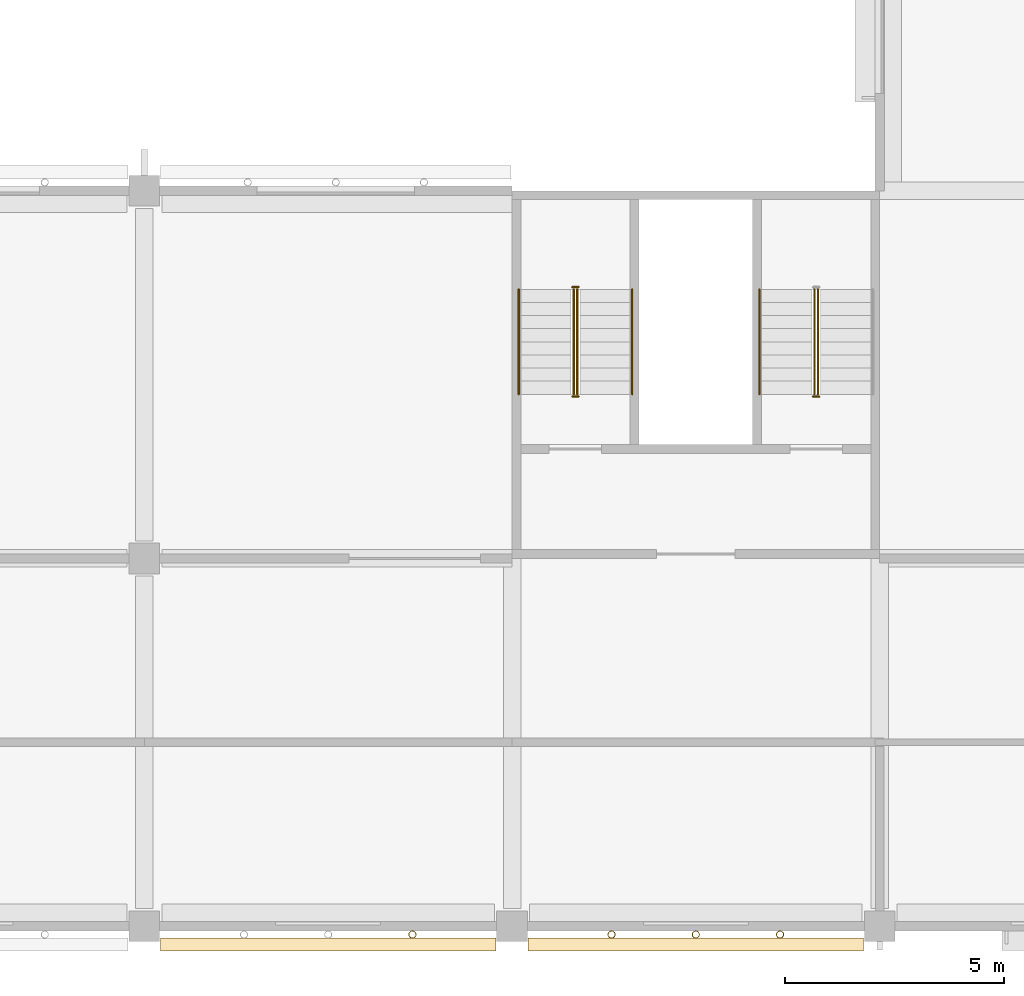
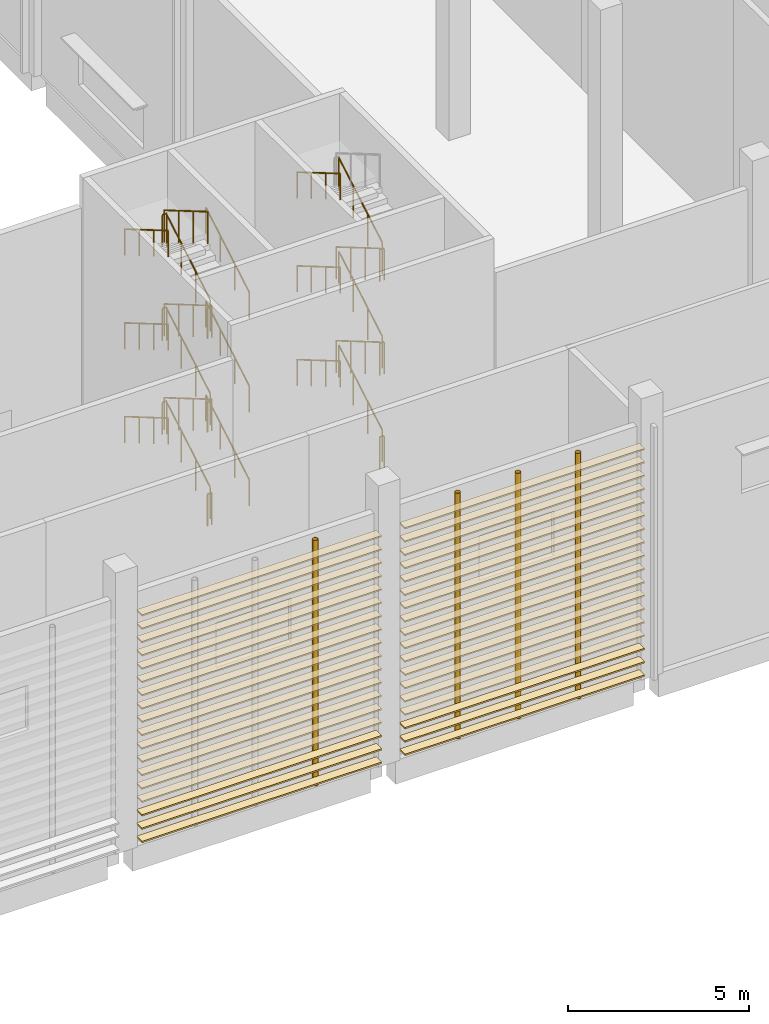
# One storey, part 88 of 114: 36 coverings, 29 railings, 4 shading devices.
"""IFC4 building model written with IfcOpenShell, lengths in metres."""

from ifc_helpers import new_model, si_unit, direction, frame, origin, origin_2d, place, context, subcontext, project, spatial, rectangle, circle, hollow_circle, extrude, material, material_profile, profile_set, type_object, element, save


model = new_model("IFC4")

# Units and contexts
model_context = context("Model", 3, precision=1e-05, world=origin(), true_north=direction((0.0, 1.0)))
body_context = subcontext(model_context, "Body", "Model", "MODEL_VIEW")
ifc_project = project(units=[si_unit("LENGTHUNIT", "METRE"), si_unit("AREAUNIT", "SQUARE_METRE"), si_unit("VOLUMEUNIT", "CUBIC_METRE"), si_unit("PLANEANGLEUNIT", "RADIAN"), si_unit("MASSUNIT", "GRAM", prefix="KILO")], contexts=[model_context])

# Site, building, storey
site_placement = place(None, origin())
site = spatial("IfcSite", under=ifc_project, at=site_placement, CompositionType="ELEMENT")
building_placement = place(site_placement, origin())
building = spatial("IfcBuilding", under=site, at=building_placement, Name="Almond Square Museum", CompositionType="ELEMENT")
storey_placement = place(building_placement, frame((0.0, 0.0, 10.5)))
storey = spatial("IfcBuildingStorey", under=building, at=storey_placement, Name="L02", CompositionType="ELEMENT", Elevation=10.5)

# Shading devices
ifc_material_1 = material(Name="Structural steel S355", Category="steel")
ifc_material_profile_1 = material_profile(ifc_material_1, hollow_circle(Radius=0.084228515625, WallThickness=0.008056640625, at=origin_2d()))
ifc_profile_set_1 = profile_set([ifc_material_profile_1], Name="Structural steel S355")
shading_device_type = type_object("IfcShadingDeviceType", Name="Louvre post CHS 168.3 x 8", PredefinedType="USERDEFINED", material=ifc_profile_set_1)
for number, where, z_axis, x_axis, name in (
    (1, (121.324951171875, -0.194091796875, 0.0), (0.0, 0.0, 1.0), (1.0, 0.0, 0.0), "Louvre screen post"),
    (2, (125.875, -0.194091796875, 0.0), (0.0, 0.0, 1.0), (1.0, 0.0, 0.0), "Louvre screen post"),
    (3, (127.800048828125, -0.194091796875, 0.0), (0.0, 0.0, 1.0), (1.0, 0.0, 0.0), "Louvre screen post"),
    (4, (129.72509765625, -0.194091796875, 0.0), (0.0, 0.0, 1.0), (1.0, 0.0, 0.0), "Louvre screen post"),
):
    element("IfcShadingDevice", number, at=place(storey_placement, frame(where, z_axis=z_axis, x_axis=x_axis)), inside=storey, type_object=shading_device_type, Name=name, ObjectType="POST", PredefinedType="USERDEFINED", context=body_context, shape_type="SweptSolid", body=[
        extrude(hollow_circle(Radius=0.084228515625, WallThickness=0.008056640625, at=origin_2d()), origin(), (0.0, 0.0, 1.0), 8.300048828125),
    ])

# Coverings
ifc_material_2 = material(Name="Cedar timber louvre board", Category="wood")
ifc_material_profile_2 = material_profile(ifc_material_2, rectangle(XDim=0.300048828125, YDim=0.050048828125, at=origin_2d()))
ifc_profile_set_2 = profile_set([ifc_material_profile_2], Name="Cedar timber louvre board")
covering_type = type_object("IfcCoveringType", Name="Louvre screen board 300 x 50", PredefinedType="CLADDING", material=ifc_profile_set_2)
for number, where, z_axis, x_axis, name in (
    (5, (115.570068359375, -0.42431640625, 0.300048828125), (1.0, 0.0, 0.0), (0.0, 1.0, 0.0), "Louvre screen board"),
    (6, (115.570068359375, -0.42431640625, 0.75), (1.0, 0.0, 0.0), (0.0, 1.0, 0.0), "Louvre screen board"),
    (7, (115.570068359375, -0.42431640625, 1.199951171875), (1.0, 0.0, 0.0), (0.0, 1.0, 0.0), "Louvre screen board"),
    (8, (115.570068359375, -0.42431640625, 1.64990234375), (1.0, 0.0, 0.0), (0.0, 1.0, 0.0), "Louvre screen board"),
    (9, (115.570068359375, -0.42431640625, 2.10009765625), (1.0, 0.0, 0.0), (0.0, 1.0, 0.0), "Louvre screen board"),
    (10, (115.570068359375, -0.42431640625, 2.550048828125), (1.0, 0.0, 0.0), (0.0, 1.0, 0.0), "Louvre screen board"),
    (11, (115.570068359375, -0.42431640625, 3.0), (1.0, 0.0, 0.0), (0.0, 1.0, 0.0), "Louvre screen board"),
    (12, (115.570068359375, -0.42431640625, 3.449951171875), (1.0, 0.0, 0.0), (0.0, 1.0, 0.0), "Louvre screen board"),
    (13, (115.570068359375, -0.42431640625, 3.89990234375), (1.0, 0.0, 0.0), (0.0, 1.0, 0.0), "Louvre screen board"),
    (14, (115.570068359375, -0.42431640625, 4.35009765625), (1.0, 0.0, 0.0), (0.0, 1.0, 0.0), "Louvre screen board"),
    (15, (115.570068359375, -0.42431640625, 4.800048828125), (1.0, 0.0, 0.0), (0.0, 1.0, 0.0), "Louvre screen board"),
    (16, (115.570068359375, -0.42431640625, 5.25), (1.0, 0.0, 0.0), (0.0, 1.0, 0.0), "Louvre screen board"),
    (17, (115.570068359375, -0.42431640625, 5.699951171875), (1.0, 0.0, 0.0), (0.0, 1.0, 0.0), "Louvre screen board"),
    (18, (115.570068359375, -0.42431640625, 6.14990234375), (1.0, 0.0, 0.0), (0.0, 1.0, 0.0), "Louvre screen board"),
    (19, (115.570068359375, -0.42431640625, 6.60009765625), (1.0, 0.0, 0.0), (0.0, 1.0, 0.0), "Louvre screen board"),
    (20, (115.570068359375, -0.42431640625, 7.050048828125), (1.0, 0.0, 0.0), (0.0, 1.0, 0.0), "Louvre screen board"),
    (21, (115.570068359375, -0.42431640625, 7.5), (1.0, 0.0, 0.0), (0.0, 1.0, 0.0), "Louvre screen board"),
    (22, (115.570068359375, -0.42431640625, 7.949951171875), (1.0, 0.0, 0.0), (0.0, 1.0, 0.0), "Louvre screen board"),
    (23, (123.969970703125, -0.42431640625, 0.300048828125), (1.0, 0.0, 0.0), (0.0, 1.0, 0.0), "Louvre screen board"),
    (24, (123.969970703125, -0.42431640625, 0.75), (1.0, 0.0, 0.0), (0.0, 1.0, 0.0), "Louvre screen board"),
    (25, (123.969970703125, -0.42431640625, 1.199951171875), (1.0, 0.0, 0.0), (0.0, 1.0, 0.0), "Louvre screen board"),
    (26, (123.969970703125, -0.42431640625, 1.64990234375), (1.0, 0.0, 0.0), (0.0, 1.0, 0.0), "Louvre screen board"),
    (27, (123.969970703125, -0.42431640625, 2.10009765625), (1.0, 0.0, 0.0), (0.0, 1.0, 0.0), "Louvre screen board"),
    (28, (123.969970703125, -0.42431640625, 2.550048828125), (1.0, 0.0, 0.0), (0.0, 1.0, 0.0), "Louvre screen board"),
    (29, (123.969970703125, -0.42431640625, 3.0), (1.0, 0.0, 0.0), (0.0, 1.0, 0.0), "Louvre screen board"),
    (30, (123.969970703125, -0.42431640625, 3.449951171875), (1.0, 0.0, 0.0), (0.0, 1.0, 0.0), "Louvre screen board"),
    (31, (123.969970703125, -0.42431640625, 3.89990234375), (1.0, 0.0, 0.0), (0.0, 1.0, 0.0), "Louvre screen board"),
    (32, (123.969970703125, -0.42431640625, 4.35009765625), (1.0, 0.0, 0.0), (0.0, 1.0, 0.0), "Louvre screen board"),
    (33, (123.969970703125, -0.42431640625, 4.800048828125), (1.0, 0.0, 0.0), (0.0, 1.0, 0.0), "Louvre screen board"),
    (34, (123.969970703125, -0.42431640625, 5.25), (1.0, 0.0, 0.0), (0.0, 1.0, 0.0), "Louvre screen board"),
    (35, (123.969970703125, -0.42431640625, 5.699951171875), (1.0, 0.0, 0.0), (0.0, 1.0, 0.0), "Louvre screen board"),
    (36, (123.969970703125, -0.42431640625, 6.14990234375), (1.0, 0.0, 0.0), (0.0, 1.0, 0.0), "Louvre screen board"),
    (37, (123.969970703125, -0.42431640625, 6.60009765625), (1.0, 0.0, 0.0), (0.0, 1.0, 0.0), "Louvre screen board"),
    (38, (123.969970703125, -0.42431640625, 7.050048828125), (1.0, 0.0, 0.0), (0.0, 1.0, 0.0), "Louvre screen board"),
    (39, (123.969970703125, -0.42431640625, 7.5), (1.0, 0.0, 0.0), (0.0, 1.0, 0.0), "Louvre screen board"),
    (40, (123.969970703125, -0.42431640625, 7.949951171875), (1.0, 0.0, 0.0), (0.0, 1.0, 0.0), "Louvre screen board"),
):
    element("IfcCovering", number, at=place(storey_placement, frame(where, z_axis=z_axis, x_axis=x_axis)), inside=storey, type_object=covering_type, Name=name, PredefinedType="CLADDING", context=body_context, shape_type="SweptSolid", body=[
        extrude(rectangle(XDim=0.300048828125, YDim=0.050048828125, at=origin_2d()), origin(), (0.0, 0.0, 1.0), 7.659912109375),
    ])

# Railings
ifc_material_3 = material(Name="Stainless steel and laminated glass", Category="steel")
railing_type_1 = type_object("IfcRailingType", Name="Stair guard 1100 steel and glass", PredefinedType="GUARDRAIL", material=ifc_material_3)
railing_1_placement = place(storey_placement, frame((125.090087890625, 12.14990234375, 0.176025390625)))
element("IfcRailing", 41, at=railing_1_placement, inside=storey, type_object=railing_type_1, Name="L02 ST-31 stair guard 1", PredefinedType="GUARDRAIL", context=body_context, shape_type="SweptSolid", body=[
    extrude(circle(Radius=0.02392578125, at=origin_2d()), frame((0.0, 0.0, 1.076171875), z_axis=(0.0, 0.862659684245, 0.505784805207), x_axis=(-1.0, 0.0, 0.0)), (0.0, 0.0, 1.0), 2.7822265625),
    extrude(circle(Radius=0.02099609375, at=origin_2d()), origin(), (0.0, 0.0, 1.0), 1.052001953125),
    extrude(circle(Radius=0.02099609375, at=origin_2d()), frame((0.0, 0.800048828125, 0.468994140625)), (0.0, 0.0, 1.0), 1.052001953125),
    extrude(circle(Radius=0.02099609375, at=origin_2d()), frame((0.0, 1.60009765625, 0.938232421875)), (0.0, 0.0, 1.0), 1.052001953125),
    extrude(circle(Radius=0.02099609375, at=origin_2d()), frame((0.0, 2.400146484375, 1.4072265625)), (0.0, 0.0, 1.0), 1.052001953125),
])
railing_2_placement = place(storey_placement, frame((125.1201171875, 14.60009765625, 1.583251953125)))
element("IfcRailing", 42, at=railing_2_placement, inside=storey, type_object=railing_type_1, Name="L02 ST-31 stair guard 2", PredefinedType="GUARDRAIL", context=body_context, shape_type="SweptSolid", body=[
    extrude(circle(Radius=0.02392578125, at=origin_2d()), frame((0.0, 0.0, 1.076171875), z_axis=(-1.0, 0.0, 0.0), x_axis=(0.0, -1.0, 0.0)), (0.0, 0.0, 1.0), 0.14013671875),
    extrude(circle(Radius=0.02099609375, at=origin_2d()), origin(), (0.0, 0.0, 1.0), 1.052001953125),
    extrude(circle(Radius=0.02099609375, at=origin_2d()), frame((-0.14013671875, 0.0, 0.0)), (0.0, 0.0, 1.0), 1.052001953125),
])
railing_3_placement = place(storey_placement, frame((125.010009765625, 14.550048828125, 1.75927734375)))
element("IfcRailing", 43, at=railing_3_placement, inside=storey, type_object=railing_type_1, Name="L02 ST-31 stair guard 3", PredefinedType="GUARDRAIL", context=body_context, shape_type="SweptSolid", body=[
    extrude(circle(Radius=0.02392578125, at=origin_2d()), frame((0.0, 0.0, 1.076171875), z_axis=(0.0, -0.862621396848, 0.505850102007), x_axis=(1.0, 0.0, 0.0)), (0.0, 0.0, 1.0), 2.782470703125),
    extrude(circle(Radius=0.02099609375, at=origin_2d()), origin(), (0.0, 0.0, 1.0), 1.052001953125),
    extrude(circle(Radius=0.02099609375, at=origin_2d()), frame((0.0, -0.800048828125, 0.46923828125)), (0.0, 0.0, 1.0), 1.052001953125),
    extrude(circle(Radius=0.02099609375, at=origin_2d()), frame((0.0, -1.60009765625, 0.938232421875)), (0.0, 0.0, 1.0), 1.052001953125),
    extrude(circle(Radius=0.02099609375, at=origin_2d()), frame((0.0, -2.400146484375, 1.407470703125)), (0.0, 0.0, 1.0), 1.052001953125),
])
railing_4_placement = place(storey_placement, frame((125.1201171875, 12.10009765625, 3.166748046875)))
element("IfcRailing", 44, at=railing_4_placement, inside=storey, type_object=railing_type_1, Name="L02 ST-31 stair guard 4", PredefinedType="GUARDRAIL", context=body_context, shape_type="SweptSolid", body=[
    extrude(circle(Radius=0.02392578125, at=origin_2d()), frame((0.0, 0.0, 1.076171875), z_axis=(-1.0, 0.0, 0.0), x_axis=(0.0, -1.0, 0.0)), (0.0, 0.0, 1.0), 0.14013671875),
    extrude(circle(Radius=0.02099609375, at=origin_2d()), origin(), (0.0, 0.0, 1.0), 1.052001953125),
    extrude(circle(Radius=0.02099609375, at=origin_2d()), frame((-0.14013671875, 0.0, 0.0)), (0.0, 0.0, 1.0), 1.052001953125),
])
railing_5_placement = place(storey_placement, frame((125.090087890625, 12.14990234375, 3.342529296875)))
element("IfcRailing", 45, at=railing_5_placement, inside=storey, type_object=railing_type_1, Name="L02 ST-31 stair guard 5", PredefinedType="GUARDRAIL", context=body_context, shape_type="SweptSolid", body=[
    extrude(circle(Radius=0.02392578125, at=origin_2d()), frame((0.0, 0.0, 1.076171875), z_axis=(0.0, 0.862621396848, 0.505850102007), x_axis=(-1.0, 0.0, 0.0)), (0.0, 0.0, 1.0), 2.782470703125),
    extrude(circle(Radius=0.02099609375, at=origin_2d()), origin(), (0.0, 0.0, 1.0), 1.052001953125),
    extrude(circle(Radius=0.02099609375, at=origin_2d()), frame((0.0, 0.800048828125, 0.46923828125)), (0.0, 0.0, 1.0), 1.052001953125),
    extrude(circle(Radius=0.02099609375, at=origin_2d()), frame((0.0, 1.60009765625, 0.938232421875)), (0.0, 0.0, 1.0), 1.052001953125),
    extrude(circle(Radius=0.02099609375, at=origin_2d()), frame((0.0, 2.400146484375, 1.407470703125)), (0.0, 0.0, 1.0), 1.052001953125),
])
railing_6_placement = place(storey_placement, frame((125.1201171875, 14.60009765625, 4.75)))
element("IfcRailing", 46, at=railing_6_placement, inside=storey, type_object=railing_type_1, Name="L02 ST-31 stair guard 6", PredefinedType="GUARDRAIL", context=body_context, shape_type="SweptSolid", body=[
    extrude(circle(Radius=0.02392578125, at=origin_2d()), frame((0.0, 0.0, 1.076171875), z_axis=(-1.0, 0.0, 0.0), x_axis=(0.0, -1.0, 0.0)), (0.0, 0.0, 1.0), 0.14013671875),
    extrude(circle(Radius=0.02099609375, at=origin_2d()), origin(), (0.0, 0.0, 1.0), 1.052001953125),
    extrude(circle(Radius=0.02099609375, at=origin_2d()), frame((-0.14013671875, 0.0, 0.0)), (0.0, 0.0, 1.0), 1.052001953125),
])
railing_7_placement = place(storey_placement, frame((125.010009765625, 14.550048828125, 4.926025390625)))
element("IfcRailing", 47, at=railing_7_placement, inside=storey, type_object=railing_type_1, Name="L02 ST-31 stair guard 7", PredefinedType="GUARDRAIL", context=body_context, shape_type="SweptSolid", body=[
    extrude(circle(Radius=0.02392578125, at=origin_2d()), frame((0.0, 0.0, 1.076171875), z_axis=(0.0, -0.862659684245, 0.505784805207), x_axis=(1.0, 0.0, 0.0)), (0.0, 0.0, 1.0), 2.7822265625),
    extrude(circle(Radius=0.02099609375, at=origin_2d()), origin(), (0.0, 0.0, 1.0), 1.052001953125),
    extrude(circle(Radius=0.02099609375, at=origin_2d()), frame((0.0, -0.800048828125, 0.468994140625)), (0.0, 0.0, 1.0), 1.052001953125),
    extrude(circle(Radius=0.02099609375, at=origin_2d()), frame((0.0, -1.60009765625, 0.938232421875)), (0.0, 0.0, 1.0), 1.052001953125),
    extrude(circle(Radius=0.02099609375, at=origin_2d()), frame((0.0, -2.400146484375, 1.4072265625)), (0.0, 0.0, 1.0), 1.052001953125),
])
railing_8_placement = place(storey_placement, frame((125.1201171875, 12.10009765625, 6.333251953125)))
element("IfcRailing", 48, at=railing_8_placement, inside=storey, type_object=railing_type_1, Name="L02 ST-31 stair guard 8", PredefinedType="GUARDRAIL", context=body_context, shape_type="SweptSolid", body=[
    extrude(circle(Radius=0.02392578125, at=origin_2d()), frame((0.0, 0.0, 1.076171875), z_axis=(-1.0, 0.0, 0.0), x_axis=(0.0, -1.0, 0.0)), (0.0, 0.0, 1.0), 0.14013671875),
    extrude(circle(Radius=0.02099609375, at=origin_2d()), origin(), (0.0, 0.0, 1.0), 1.052001953125),
    extrude(circle(Radius=0.02099609375, at=origin_2d()), frame((-0.14013671875, 0.0, 0.0)), (0.0, 0.0, 1.0), 1.052001953125),
])
railing_9_placement = place(storey_placement, frame((125.090087890625, 12.14990234375, 6.50927734375)))
element("IfcRailing", 49, at=railing_9_placement, inside=storey, type_object=railing_type_1, Name="L02 ST-31 stair guard 9", PredefinedType="GUARDRAIL", context=body_context, shape_type="SweptSolid", body=[
    extrude(circle(Radius=0.02392578125, at=origin_2d()), frame((0.0, 0.0, 1.076171875), z_axis=(0.0, 0.862621396848, 0.505850102007), x_axis=(-1.0, 0.0, 0.0)), (0.0, 0.0, 1.0), 2.782470703125),
    extrude(circle(Radius=0.02099609375, at=origin_2d()), origin(), (0.0, 0.0, 1.0), 1.052001953125),
    extrude(circle(Radius=0.02099609375, at=origin_2d()), frame((0.0, 0.800048828125, 0.46923828125)), (0.0, 0.0, 1.0), 1.052001953125),
    extrude(circle(Radius=0.02099609375, at=origin_2d()), frame((0.0, 1.60009765625, 0.938232421875)), (0.0, 0.0, 1.0), 1.052001953125),
    extrude(circle(Radius=0.02099609375, at=origin_2d()), frame((0.0, 2.400146484375, 1.407470703125)), (0.0, 0.0, 1.0), 1.052001953125),
])
railing_10_placement = place(storey_placement, frame((125.1201171875, 14.60009765625, 7.916748046875)))
element("IfcRailing", 50, at=railing_10_placement, inside=storey, type_object=railing_type_1, Name="L02 ST-31 stair guard 10", PredefinedType="GUARDRAIL", context=body_context, shape_type="SweptSolid", body=[
    extrude(circle(Radius=0.02392578125, at=origin_2d()), frame((0.0, 0.0, 1.076171875), z_axis=(-1.0, 0.0, 0.0), x_axis=(0.0, -1.0, 0.0)), (0.0, 0.0, 1.0), 0.14013671875),
    extrude(circle(Radius=0.02099609375, at=origin_2d()), origin(), (0.0, 0.0, 1.0), 1.052001953125),
    extrude(circle(Radius=0.02099609375, at=origin_2d()), frame((-0.14013671875, 0.0, 0.0)), (0.0, 0.0, 1.0), 1.052001953125),
])
railing_11_placement = place(storey_placement, frame((125.010009765625, 14.550048828125, 8.092529296875)))
element("IfcRailing", 51, at=railing_11_placement, inside=storey, type_object=railing_type_1, Name="L02 ST-31 stair guard 11", PredefinedType="GUARDRAIL", context=body_context, shape_type="SweptSolid", body=[
    extrude(circle(Radius=0.02392578125, at=origin_2d()), frame((0.0, 0.0, 1.076171875), z_axis=(0.0, -0.862621396848, 0.505850102007), x_axis=(1.0, 0.0, 0.0)), (0.0, 0.0, 1.0), 2.782470703125),
    extrude(circle(Radius=0.02099609375, at=origin_2d()), origin(), (0.0, 0.0, 1.0), 1.052001953125),
    extrude(circle(Radius=0.02099609375, at=origin_2d()), frame((0.0, -0.800048828125, 0.46923828125)), (0.0, 0.0, 1.0), 1.052001953125),
    extrude(circle(Radius=0.02099609375, at=origin_2d()), frame((0.0, -1.60009765625, 0.938232421875)), (0.0, 0.0, 1.0), 1.052001953125),
    extrude(circle(Radius=0.02099609375, at=origin_2d()), frame((0.0, -2.400146484375, 1.407470703125)), (0.0, 0.0, 1.0), 1.052001953125),
])
railing_12_placement = place(storey_placement, frame((125.1201171875, 12.10009765625, 0.0)))
element("IfcRailing", 52, at=railing_12_placement, inside=storey, type_object=railing_type_1, Name="L02 ST-31 stair guard 12", PredefinedType="GUARDRAIL", context=body_context, shape_type="SweptSolid", body=[
    extrude(circle(Radius=0.02392578125, at=origin_2d()), frame((0.0, 0.0, 1.076171875), z_axis=(-1.0, 0.0, 0.0), x_axis=(0.0, -1.0, 0.0)), (0.0, 0.0, 1.0), 0.14013671875),
    extrude(circle(Radius=0.02099609375, at=origin_2d()), origin(), (0.0, 0.0, 1.0), 1.052001953125),
    extrude(circle(Radius=0.02099609375, at=origin_2d()), frame((-0.14013671875, 0.0, 0.0)), (0.0, 0.0, 1.0), 1.052001953125),
])
railing_13_placement = place(storey_placement, frame((130.590087890625, 12.14990234375, 0.176025390625)))
element("IfcRailing", 53, at=railing_13_placement, inside=storey, type_object=railing_type_1, Name="L02 ST-32 stair guard 1", PredefinedType="GUARDRAIL", context=body_context, shape_type="SweptSolid", body=[
    extrude(circle(Radius=0.02392578125, at=origin_2d()), frame((0.0, 0.0, 1.076171875), z_axis=(0.0, 0.862659684245, 0.505784805207), x_axis=(-1.0, 0.0, 0.0)), (0.0, 0.0, 1.0), 2.7822265625),
    extrude(circle(Radius=0.02099609375, at=origin_2d()), origin(), (0.0, 0.0, 1.0), 1.052001953125),
    extrude(circle(Radius=0.02099609375, at=origin_2d()), frame((0.0, 0.800048828125, 0.468994140625)), (0.0, 0.0, 1.0), 1.052001953125),
    extrude(circle(Radius=0.02099609375, at=origin_2d()), frame((0.0, 1.60009765625, 0.938232421875)), (0.0, 0.0, 1.0), 1.052001953125),
    extrude(circle(Radius=0.02099609375, at=origin_2d()), frame((0.0, 2.400146484375, 1.4072265625)), (0.0, 0.0, 1.0), 1.052001953125),
])
railing_14_placement = place(storey_placement, frame((130.510009765625, 14.550048828125, 1.75927734375)))
element("IfcRailing", 54, at=railing_14_placement, inside=storey, type_object=railing_type_1, Name="L02 ST-32 stair guard 3", PredefinedType="GUARDRAIL", context=body_context, shape_type="SweptSolid", body=[
    extrude(circle(Radius=0.02392578125, at=origin_2d()), frame((0.0, 0.0, 1.076171875), z_axis=(0.0, -0.862621396848, 0.505850102007), x_axis=(1.0, 0.0, 0.0)), (0.0, 0.0, 1.0), 2.782470703125),
    extrude(circle(Radius=0.02099609375, at=origin_2d()), origin(), (0.0, 0.0, 1.0), 1.052001953125),
    extrude(circle(Radius=0.02099609375, at=origin_2d()), frame((0.0, -0.800048828125, 0.46923828125)), (0.0, 0.0, 1.0), 1.052001953125),
    extrude(circle(Radius=0.02099609375, at=origin_2d()), frame((0.0, -1.60009765625, 0.938232421875)), (0.0, 0.0, 1.0), 1.052001953125),
    extrude(circle(Radius=0.02099609375, at=origin_2d()), frame((0.0, -2.400146484375, 1.407470703125)), (0.0, 0.0, 1.0), 1.052001953125),
])
railing_15_placement = place(storey_placement, frame((130.6201171875, 12.10009765625, 3.166748046875)))
element("IfcRailing", 55, at=railing_15_placement, inside=storey, type_object=railing_type_1, Name="L02 ST-32 stair guard 4", PredefinedType="GUARDRAIL", context=body_context, shape_type="SweptSolid", body=[
    extrude(circle(Radius=0.02392578125, at=origin_2d()), frame((0.0, 0.0, 1.076171875), z_axis=(-1.0, 0.0, 0.0), x_axis=(0.0, -1.0, 0.0)), (0.0, 0.0, 1.0), 0.14013671875),
    extrude(circle(Radius=0.02099609375, at=origin_2d()), origin(), (0.0, 0.0, 1.0), 1.052001953125),
    extrude(circle(Radius=0.02099609375, at=origin_2d()), frame((-0.14013671875, 0.0, 0.0)), (0.0, 0.0, 1.0), 1.052001953125),
])
railing_16_placement = place(storey_placement, frame((130.590087890625, 12.14990234375, 3.342529296875)))
element("IfcRailing", 56, at=railing_16_placement, inside=storey, type_object=railing_type_1, Name="L02 ST-32 stair guard 5", PredefinedType="GUARDRAIL", context=body_context, shape_type="SweptSolid", body=[
    extrude(circle(Radius=0.02392578125, at=origin_2d()), frame((0.0, 0.0, 1.076171875), z_axis=(0.0, 0.862621396848, 0.505850102007), x_axis=(-1.0, 0.0, 0.0)), (0.0, 0.0, 1.0), 2.782470703125),
    extrude(circle(Radius=0.02099609375, at=origin_2d()), origin(), (0.0, 0.0, 1.0), 1.052001953125),
    extrude(circle(Radius=0.02099609375, at=origin_2d()), frame((0.0, 0.800048828125, 0.46923828125)), (0.0, 0.0, 1.0), 1.052001953125),
    extrude(circle(Radius=0.02099609375, at=origin_2d()), frame((0.0, 1.60009765625, 0.938232421875)), (0.0, 0.0, 1.0), 1.052001953125),
    extrude(circle(Radius=0.02099609375, at=origin_2d()), frame((0.0, 2.400146484375, 1.407470703125)), (0.0, 0.0, 1.0), 1.052001953125),
])
railing_17_placement = place(storey_placement, frame((130.510009765625, 14.550048828125, 4.926025390625)))
element("IfcRailing", 57, at=railing_17_placement, inside=storey, type_object=railing_type_1, Name="L02 ST-32 stair guard 7", PredefinedType="GUARDRAIL", context=body_context, shape_type="SweptSolid", body=[
    extrude(circle(Radius=0.02392578125, at=origin_2d()), frame((0.0, 0.0, 1.076171875), z_axis=(0.0, -0.862659684245, 0.505784805207), x_axis=(1.0, 0.0, 0.0)), (0.0, 0.0, 1.0), 2.7822265625),
    extrude(circle(Radius=0.02099609375, at=origin_2d()), origin(), (0.0, 0.0, 1.0), 1.052001953125),
    extrude(circle(Radius=0.02099609375, at=origin_2d()), frame((0.0, -0.800048828125, 0.468994140625)), (0.0, 0.0, 1.0), 1.052001953125),
    extrude(circle(Radius=0.02099609375, at=origin_2d()), frame((0.0, -1.60009765625, 0.938232421875)), (0.0, 0.0, 1.0), 1.052001953125),
    extrude(circle(Radius=0.02099609375, at=origin_2d()), frame((0.0, -2.400146484375, 1.4072265625)), (0.0, 0.0, 1.0), 1.052001953125),
])
railing_18_placement = place(storey_placement, frame((130.6201171875, 12.10009765625, 6.333251953125)))
element("IfcRailing", 58, at=railing_18_placement, inside=storey, type_object=railing_type_1, Name="L02 ST-32 stair guard 8", PredefinedType="GUARDRAIL", context=body_context, shape_type="SweptSolid", body=[
    extrude(circle(Radius=0.02392578125, at=origin_2d()), frame((0.0, 0.0, 1.076171875), z_axis=(-1.0, 0.0, 0.0), x_axis=(0.0, -1.0, 0.0)), (0.0, 0.0, 1.0), 0.14013671875),
    extrude(circle(Radius=0.02099609375, at=origin_2d()), origin(), (0.0, 0.0, 1.0), 1.052001953125),
    extrude(circle(Radius=0.02099609375, at=origin_2d()), frame((-0.14013671875, 0.0, 0.0)), (0.0, 0.0, 1.0), 1.052001953125),
])
railing_19_placement = place(storey_placement, frame((130.590087890625, 12.14990234375, 6.50927734375)))
element("IfcRailing", 59, at=railing_19_placement, inside=storey, type_object=railing_type_1, Name="L02 ST-32 stair guard 9", PredefinedType="GUARDRAIL", context=body_context, shape_type="SweptSolid", body=[
    extrude(circle(Radius=0.02392578125, at=origin_2d()), frame((0.0, 0.0, 1.076171875), z_axis=(0.0, 0.862621396848, 0.505850102007), x_axis=(-1.0, 0.0, 0.0)), (0.0, 0.0, 1.0), 2.782470703125),
    extrude(circle(Radius=0.02099609375, at=origin_2d()), origin(), (0.0, 0.0, 1.0), 1.052001953125),
    extrude(circle(Radius=0.02099609375, at=origin_2d()), frame((0.0, 0.800048828125, 0.46923828125)), (0.0, 0.0, 1.0), 1.052001953125),
    extrude(circle(Radius=0.02099609375, at=origin_2d()), frame((0.0, 1.60009765625, 0.938232421875)), (0.0, 0.0, 1.0), 1.052001953125),
    extrude(circle(Radius=0.02099609375, at=origin_2d()), frame((0.0, 2.400146484375, 1.407470703125)), (0.0, 0.0, 1.0), 1.052001953125),
])
railing_20_placement = place(storey_placement, frame((130.6201171875, 12.10009765625, 0.0)))
element("IfcRailing", 60, at=railing_20_placement, inside=storey, type_object=railing_type_1, Name="L02 ST-32 stair guard 12", PredefinedType="GUARDRAIL", context=body_context, shape_type="SweptSolid", body=[
    extrude(circle(Radius=0.02392578125, at=origin_2d()), frame((0.0, 0.0, 1.076171875), z_axis=(-1.0, 0.0, 0.0), x_axis=(0.0, -1.0, 0.0)), (0.0, 0.0, 1.0), 0.14013671875),
    extrude(circle(Radius=0.02099609375, at=origin_2d()), origin(), (0.0, 0.0, 1.0), 1.052001953125),
    extrude(circle(Radius=0.02099609375, at=origin_2d()), frame((-0.14013671875, 0.0, 0.0)), (0.0, 0.0, 1.0), 1.052001953125),
])
ifc_material_4 = material(Name="Stainless steel", Category="steel")
railing_type_2 = type_object("IfcRailingType", Name="Stair handrail 900 steel", PredefinedType="HANDRAIL", material=ifc_material_4)
railing_21_placement = place(storey_placement, frame((126.344970703125, 12.14990234375, 0.176025390625)))
element("IfcRailing", 61, at=railing_21_placement, inside=storey, type_object=railing_type_2, Name="L02 ST-31 stair handrail 1", PredefinedType="HANDRAIL", context=body_context, shape_type="SweptSolid", body=[
    extrude(circle(Radius=0.02392578125, at=origin_2d()), frame((0.0, 0.0, 0.8759765625), z_axis=(0.0, 0.862659684245, 0.505784805207), x_axis=(-1.0, 0.0, 0.0)), (0.0, 0.0, 1.0), 2.7822265625),
    extrude(circle(Radius=0.02099609375, at=origin_2d()), origin(), (0.0, 0.0, 1.0), 0.851806640625),
    extrude(circle(Radius=0.02099609375, at=origin_2d()), frame((0.0, 0.800048828125, 0.468994140625)), (0.0, 0.0, 1.0), 0.851806640625),
    extrude(circle(Radius=0.02099609375, at=origin_2d()), frame((0.0, 1.60009765625, 0.938232421875)), (0.0, 0.0, 1.0), 0.851806640625),
    extrude(circle(Radius=0.02099609375, at=origin_2d()), frame((0.0, 2.400146484375, 1.4072265625)), (0.0, 0.0, 1.0), 0.851806640625),
])
railing_22_placement = place(storey_placement, frame((123.7548828125, 14.550048828125, 1.75927734375)))
element("IfcRailing", 62, at=railing_22_placement, inside=storey, type_object=railing_type_2, Name="L02 ST-31 stair handrail 2", PredefinedType="HANDRAIL", context=body_context, shape_type="SweptSolid", body=[
    extrude(circle(Radius=0.02392578125, at=origin_2d()), frame((0.0, 0.0, 0.8759765625), z_axis=(0.0, -0.862621396848, 0.505850102007), x_axis=(1.0, 0.0, 0.0)), (0.0, 0.0, 1.0), 2.782470703125),
    extrude(circle(Radius=0.02099609375, at=origin_2d()), origin(), (0.0, 0.0, 1.0), 0.851806640625),
    extrude(circle(Radius=0.02099609375, at=origin_2d()), frame((0.0, -0.800048828125, 0.46923828125)), (0.0, 0.0, 1.0), 0.851806640625),
    extrude(circle(Radius=0.02099609375, at=origin_2d()), frame((0.0, -1.60009765625, 0.938232421875)), (0.0, 0.0, 1.0), 0.851806640625),
    extrude(circle(Radius=0.02099609375, at=origin_2d()), frame((0.0, -2.400146484375, 1.407470703125)), (0.0, 0.0, 1.0), 0.851806640625),
])
railing_23_placement = place(storey_placement, frame((126.344970703125, 12.14990234375, 3.342529296875)))
element("IfcRailing", 63, at=railing_23_placement, inside=storey, type_object=railing_type_2, Name="L02 ST-31 stair handrail 3", PredefinedType="HANDRAIL", context=body_context, shape_type="SweptSolid", body=[
    extrude(circle(Radius=0.02392578125, at=origin_2d()), frame((0.0, 0.0, 0.8759765625), z_axis=(0.0, 0.862621396848, 0.505850102007), x_axis=(-1.0, 0.0, 0.0)), (0.0, 0.0, 1.0), 2.782470703125),
    extrude(circle(Radius=0.02099609375, at=origin_2d()), origin(), (0.0, 0.0, 1.0), 0.851806640625),
    extrude(circle(Radius=0.02099609375, at=origin_2d()), frame((0.0, 0.800048828125, 0.46923828125)), (0.0, 0.0, 1.0), 0.851806640625),
    extrude(circle(Radius=0.02099609375, at=origin_2d()), frame((0.0, 1.60009765625, 0.938232421875)), (0.0, 0.0, 1.0), 0.851806640625),
    extrude(circle(Radius=0.02099609375, at=origin_2d()), frame((0.0, 2.400146484375, 1.407470703125)), (0.0, 0.0, 1.0), 0.851806640625),
])
railing_24_placement = place(storey_placement, frame((123.7548828125, 14.550048828125, 4.926025390625)))
element("IfcRailing", 64, at=railing_24_placement, inside=storey, type_object=railing_type_2, Name="L02 ST-31 stair handrail 4", PredefinedType="HANDRAIL", context=body_context, shape_type="SweptSolid", body=[
    extrude(circle(Radius=0.02392578125, at=origin_2d()), frame((0.0, 0.0, 0.8759765625), z_axis=(0.0, -0.862659684245, 0.505784805207), x_axis=(1.0, 0.0, 0.0)), (0.0, 0.0, 1.0), 2.7822265625),
    extrude(circle(Radius=0.02099609375, at=origin_2d()), origin(), (0.0, 0.0, 1.0), 0.851806640625),
    extrude(circle(Radius=0.02099609375, at=origin_2d()), frame((0.0, -0.800048828125, 0.468994140625)), (0.0, 0.0, 1.0), 0.851806640625),
    extrude(circle(Radius=0.02099609375, at=origin_2d()), frame((0.0, -1.60009765625, 0.938232421875)), (0.0, 0.0, 1.0), 0.851806640625),
    extrude(circle(Radius=0.02099609375, at=origin_2d()), frame((0.0, -2.400146484375, 1.4072265625)), (0.0, 0.0, 1.0), 0.851806640625),
])
railing_25_placement = place(storey_placement, frame((126.344970703125, 12.14990234375, 6.50927734375)))
element("IfcRailing", 65, at=railing_25_placement, inside=storey, type_object=railing_type_2, Name="L02 ST-31 stair handrail 5", PredefinedType="HANDRAIL", context=body_context, shape_type="SweptSolid", body=[
    extrude(circle(Radius=0.02392578125, at=origin_2d()), frame((0.0, 0.0, 0.8759765625), z_axis=(0.0, 0.862621396848, 0.505850102007), x_axis=(-1.0, 0.0, 0.0)), (0.0, 0.0, 1.0), 2.782470703125),
    extrude(circle(Radius=0.02099609375, at=origin_2d()), origin(), (0.0, 0.0, 1.0), 0.851806640625),
    extrude(circle(Radius=0.02099609375, at=origin_2d()), frame((0.0, 0.800048828125, 0.46923828125)), (0.0, 0.0, 1.0), 0.851806640625),
    extrude(circle(Radius=0.02099609375, at=origin_2d()), frame((0.0, 1.60009765625, 0.938232421875)), (0.0, 0.0, 1.0), 0.851806640625),
    extrude(circle(Radius=0.02099609375, at=origin_2d()), frame((0.0, 2.400146484375, 1.407470703125)), (0.0, 0.0, 1.0), 0.851806640625),
])
for number, where, name in (
    (66, (123.7548828125, 14.550048828125, 8.092529296875), "L02 ST-31 stair handrail 6"),
    (67, (129.2548828125, 14.550048828125, 1.75927734375), "L02 ST-32 stair handrail 2"),
):
    element("IfcRailing", number, at=place(storey_placement, frame(where)), inside=storey, type_object=railing_type_2, Name=name, PredefinedType="HANDRAIL", context=body_context, shape_type="SweptSolid", body=[
        extrude(circle(Radius=0.02392578125, at=origin_2d()), frame((0.0, 0.0, 0.8759765625), z_axis=(0.0, -0.862621396848, 0.505850102007), x_axis=(1.0, 0.0, 0.0)), (0.0, 0.0, 1.0), 2.782470703125),
        extrude(circle(Radius=0.02099609375, at=origin_2d()), origin(), (0.0, 0.0, 1.0), 0.851806640625),
        extrude(circle(Radius=0.02099609375, at=origin_2d()), frame((0.0, -0.800048828125, 0.46923828125)), (0.0, 0.0, 1.0), 0.851806640625),
        extrude(circle(Radius=0.02099609375, at=origin_2d()), frame((0.0, -1.60009765625, 0.938232421875)), (0.0, 0.0, 1.0), 0.851806640625),
        extrude(circle(Radius=0.02099609375, at=origin_2d()), frame((0.0, -2.400146484375, 1.407470703125)), (0.0, 0.0, 1.0), 0.851806640625),
    ])
railing_26_placement = place(storey_placement, frame((129.2548828125, 14.550048828125, 4.926025390625)))
element("IfcRailing", 68, at=railing_26_placement, inside=storey, type_object=railing_type_2, Name="L02 ST-32 stair handrail 4", PredefinedType="HANDRAIL", context=body_context, shape_type="SweptSolid", body=[
    extrude(circle(Radius=0.02392578125, at=origin_2d()), frame((0.0, 0.0, 0.8759765625), z_axis=(0.0, -0.862659684245, 0.505784805207), x_axis=(1.0, 0.0, 0.0)), (0.0, 0.0, 1.0), 2.7822265625),
    extrude(circle(Radius=0.02099609375, at=origin_2d()), origin(), (0.0, 0.0, 1.0), 0.851806640625),
    extrude(circle(Radius=0.02099609375, at=origin_2d()), frame((0.0, -0.800048828125, 0.468994140625)), (0.0, 0.0, 1.0), 0.851806640625),
    extrude(circle(Radius=0.02099609375, at=origin_2d()), frame((0.0, -1.60009765625, 0.938232421875)), (0.0, 0.0, 1.0), 0.851806640625),
    extrude(circle(Radius=0.02099609375, at=origin_2d()), frame((0.0, -2.400146484375, 1.4072265625)), (0.0, 0.0, 1.0), 0.851806640625),
])
railing_27_placement = place(storey_placement, frame((129.2548828125, 14.550048828125, 8.092529296875)))
element("IfcRailing", 69, at=railing_27_placement, inside=storey, type_object=railing_type_2, Name="L02 ST-32 stair handrail 6", PredefinedType="HANDRAIL", context=body_context, shape_type="SweptSolid", body=[
    extrude(circle(Radius=0.02392578125, at=origin_2d()), frame((0.0, 0.0, 0.8759765625), z_axis=(0.0, -0.862621396848, 0.505850102007), x_axis=(1.0, 0.0, 0.0)), (0.0, 0.0, 1.0), 2.782470703125),
    extrude(circle(Radius=0.02099609375, at=origin_2d()), origin(), (0.0, 0.0, 1.0), 0.851806640625),
    extrude(circle(Radius=0.02099609375, at=origin_2d()), frame((0.0, -0.800048828125, 0.46923828125)), (0.0, 0.0, 1.0), 0.851806640625),
    extrude(circle(Radius=0.02099609375, at=origin_2d()), frame((0.0, -1.60009765625, 0.938232421875)), (0.0, 0.0, 1.0), 0.851806640625),
    extrude(circle(Radius=0.02099609375, at=origin_2d()), frame((0.0, -2.400146484375, 1.407470703125)), (0.0, 0.0, 1.0), 0.851806640625),
])

save(model, "model.ifc")
